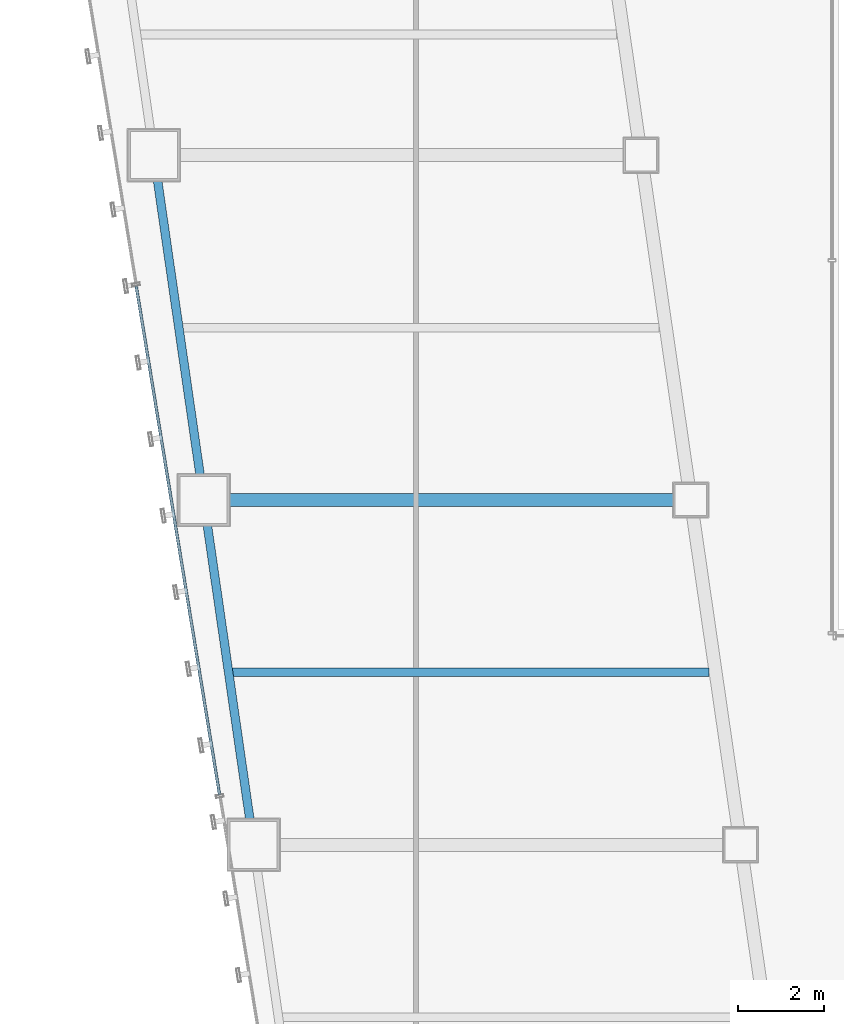
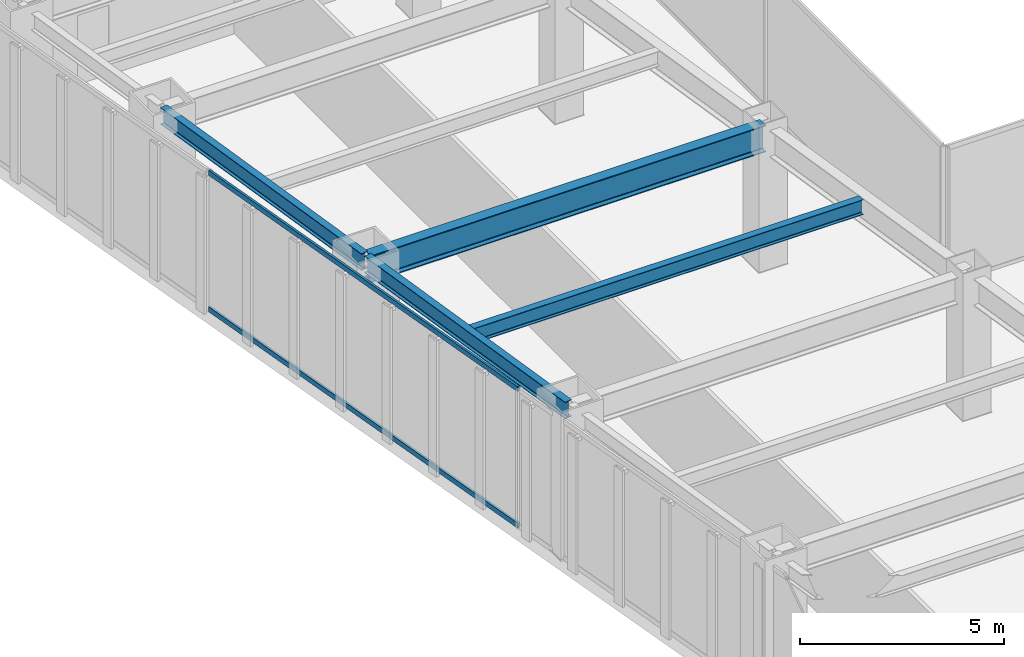
# One storey, part 10 of 49: 4 beams, 2 members, 1 element without a shape of its own.
"""IFC4 building model written with IfcOpenShell, lengths in metres."""

from ifc_helpers import new_model, si_unit, direction, frame, origin, origin_2d, place, context, subcontext, project, spatial, hollow_rectangle, i_section, extrude, material, material_profile, profile_set, type_object, element, aggregate, save


model = new_model("IFC4")

# Units and contexts
model_context = context("Model", 3, precision=1e-05, world=origin(), true_north=direction((0.0, 1.0)))
body_context = subcontext(model_context, "Body", "Model", "MODEL_VIEW")
ifc_project = project(units=[si_unit("LENGTHUNIT", "METRE"), si_unit("AREAUNIT", "SQUARE_METRE"), si_unit("VOLUMEUNIT", "CUBIC_METRE"), si_unit("PLANEANGLEUNIT", "RADIAN"), si_unit("MASSUNIT", "GRAM", prefix="KILO")], contexts=[model_context])

# Site, building, storey
site_placement = place(None, origin())
site = spatial("IfcSite", under=ifc_project, at=site_placement, CompositionType="ELEMENT")
building_placement = place(site_placement, origin())
building = spatial("IfcBuilding", under=site, at=building_placement, Name="Saevonmaru Cultural Tower", CompositionType="ELEMENT")
storey_placement = place(building_placement, frame((0.0, 0.0, 38.39990234375)))
storey = spatial("IfcBuildingStorey", under=building, at=storey_placement, Name="L07", CompositionType="ELEMENT", Elevation=38.39990234375)

# Beams
ifc_material_1 = material(Name="Steel SM420", Category="steel")
ifc_material_profile_1 = material_profile(ifc_material_1, i_section(OverallWidth=0.300048828125, OverallDepth=0.800048828125, WebThickness=0.013916015625, FlangeThickness=0.02587890625, FilletRadius=0.028076171875, at=origin_2d()), Name="H-800x300x14x26")
ifc_profile_set_1 = profile_set([ifc_material_profile_1], Name="Steel SM420")
beam_type_1 = type_object("IfcBeamType", Name="BM-G-H800", PredefinedType="BEAM", material=ifc_profile_set_1)
beam_1_placement = place(storey_placement, frame((9.531982421875, 24.0, 3.75), z_axis=(1.0, 0.0, 0.0), x_axis=(0.0, 1.0, 0.0)))
element("IfcBeam", 1, at=beam_1_placement, inside=storey, type_object=beam_type_1, Name="L07 West Wing Transverse Girder 4", PredefinedType="BEAM", context=body_context, shape_type="SweptSolid", body=[
    extrude(i_section(OverallWidth=0.300048828125, OverallDepth=0.800048828125, WebThickness=0.013916015625, FlangeThickness=0.02587890625, FilletRadius=0.028076171875, at=origin_2d()), origin(), (0.0, 0.0, 1.0), 11.179931640625),
])
ifc_material_2 = material(Name="Steel SM355", Category="steel")
ifc_material_profile_2 = material_profile(ifc_material_2, i_section(OverallWidth=0.199951171875, OverallDepth=0.449951171875, WebThickness=0.009033203125, FlangeThickness=0.013916015625, FilletRadius=0.01806640625, at=origin_2d()), Name="H-450x200x9x14")
ifc_profile_set_2 = profile_set([ifc_material_profile_2], Name="Steel SM355")
beam_type_2 = type_object("IfcBeamType", Name="BM-J-H450", PredefinedType="JOIST", material=ifc_profile_set_2)
beam_2_placement = place(storey_placement, frame((10.110107421875, 20.0, 3.925048828125), z_axis=(1.0, 0.0, 0.0), x_axis=(0.0, 1.0, 0.0)))
element("IfcBeam", 2, at=beam_2_placement, inside=storey, type_object=beam_type_2, Name="L07 West Wing Floor Joist 3", PredefinedType="JOIST", context=body_context, shape_type="SweptSolid", body=[
    extrude(i_section(OverallWidth=0.199951171875, OverallDepth=0.449951171875, WebThickness=0.009033203125, FlangeThickness=0.013916015625, FilletRadius=0.01806640625, at=origin_2d()), origin(), (0.0, 0.0, 1.0), 11.081787109375),
])
ifc_material_profile_3 = material_profile(ifc_material_2, i_section(OverallWidth=0.199951171875, OverallDepth=0.5, WebThickness=0.010009765625, FlangeThickness=0.01611328125, FilletRadius=0.02001953125, at=origin_2d()), Name="H-500x200x10x16")
ifc_profile_set_3 = profile_set([ifc_material_profile_3], Name="Steel SM355")
beam_type_3 = type_object("IfcBeamType", Name="BM-SP-H500", PredefinedType="SPANDREL", material=ifc_profile_set_3)
for number, where, z_axis, x_axis, name in (
    (3, (10.619384765625, 16.059326171875, 3.900146484375), (-0.142992129437, 0.989723825579, 0.0), (-0.989723825579, -0.142992129437, 0.0), "L07 West Splayed Spandrel 3"),
    (4, (9.46337890625, 24.059326171875, 3.900146484375), (-0.142871999001, 0.989741174197, 0.0), (-0.989741174197, -0.142871999001, 0.0), "L07 West Splayed Spandrel 4"),
):
    element("IfcBeam", number, at=place(storey_placement, frame(where, z_axis=z_axis, x_axis=x_axis)), inside=storey, type_object=beam_type_3, Name=name, PredefinedType="SPANDREL", context=body_context, shape_type="SweptSolid", body=[
        extrude(i_section(OverallWidth=0.199951171875, OverallDepth=0.5, WebThickness=0.010009765625, FlangeThickness=0.01611328125, FilletRadius=0.02001953125, at=origin_2d()), origin(), (0.0, 0.0, 1.0), 7.963134765625),
    ])

# Curtain wall, members
ifc_material_3 = material(Name="Satin Bronze Anodised Aluminium", Category="aluminium")
curtain_wall_type = type_object("IfcCurtainWallType", Name="CW-TYP-A", PredefinedType="NOTDEFINED", material=ifc_material_3)
curtain_wall_placement = place(storey_placement, origin())
curtain_wall = element("IfcCurtainWall", 5, at=curtain_wall_placement, inside=storey, type_object=curtain_wall_type, Name="L07 Unitised Curtain Wall E12", PredefinedType="NOTDEFINED")
ifc_material_profile_4 = material_profile(ifc_material_3, hollow_rectangle(XDim=0.06494140625, YDim=0.14990234375, WallThickness=0.00390625, at=origin_2d()), Name="ALU-TRAN-150x65x4")
ifc_profile_set_4 = profile_set([ifc_material_profile_4], Name="Satin Bronze Anodised Aluminium")
member_type = type_object("IfcMemberType", Name="TR-CW-150x65", PredefinedType="USERDEFINED", material=ifc_profile_set_4)
member_1_placement = place(storey_placement, frame((7.9052734375, 28.968017578125, 0.03271484375), z_axis=(0.161701400727, -0.986839732177, 0.0), x_axis=(0.986839732177, 0.161701400727, 0.0)))
member_1 = element("IfcMember", 6, at=member_1_placement, type_object=member_type, Name="CW-TW-L07-E12 transom 3.1", ObjectType="TRANSOM", PredefinedType="USERDEFINED", context=body_context, shape_type="SweptSolid", body=[
    extrude(hollow_rectangle(XDim=0.06494140625, YDim=0.14990234375, WallThickness=0.00390625, at=origin_2d()), origin(), (0.0, 0.0, 1.0), 11.9638671875),
])
member_2_placement = place(storey_placement, frame((7.9052734375, 28.968017578125, 4.11767578125), z_axis=(0.161701400727, -0.986839732177, 0.0), x_axis=(0.986839732177, 0.161701400727, 0.0)))
member_2 = element("IfcMember", 7, at=member_2_placement, type_object=member_type, Name="CW-TW-L07-E12 transom 3.2", ObjectType="TRANSOM", PredefinedType="USERDEFINED", context=body_context, shape_type="SweptSolid", body=[
    extrude(hollow_rectangle(XDim=0.06494140625, YDim=0.14990234375, WallThickness=0.00390625, at=origin_2d()), origin(), (0.0, 0.0, 1.0), 11.9638671875),
])
aggregate(curtain_wall, [member_1, member_2])

save(model, "model.ifc")
